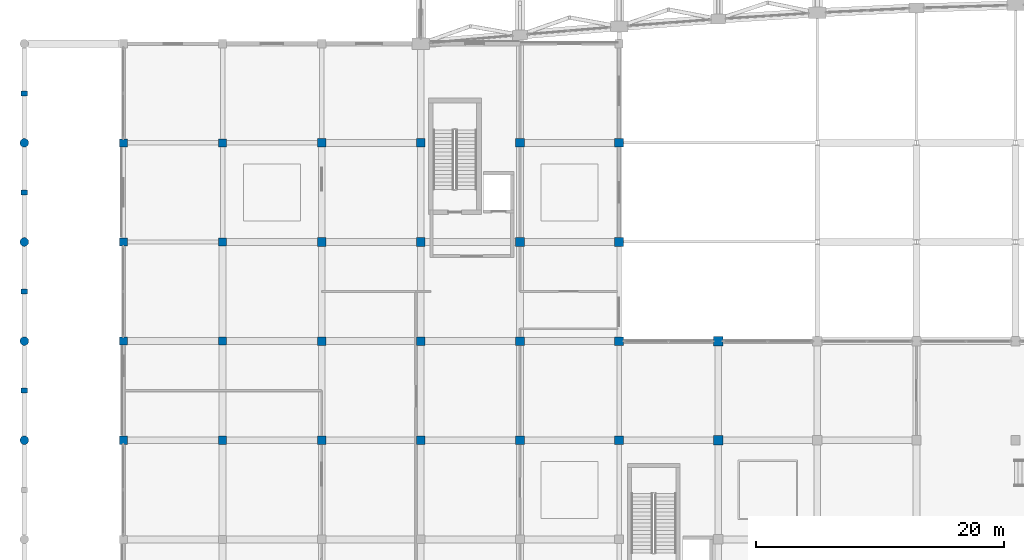
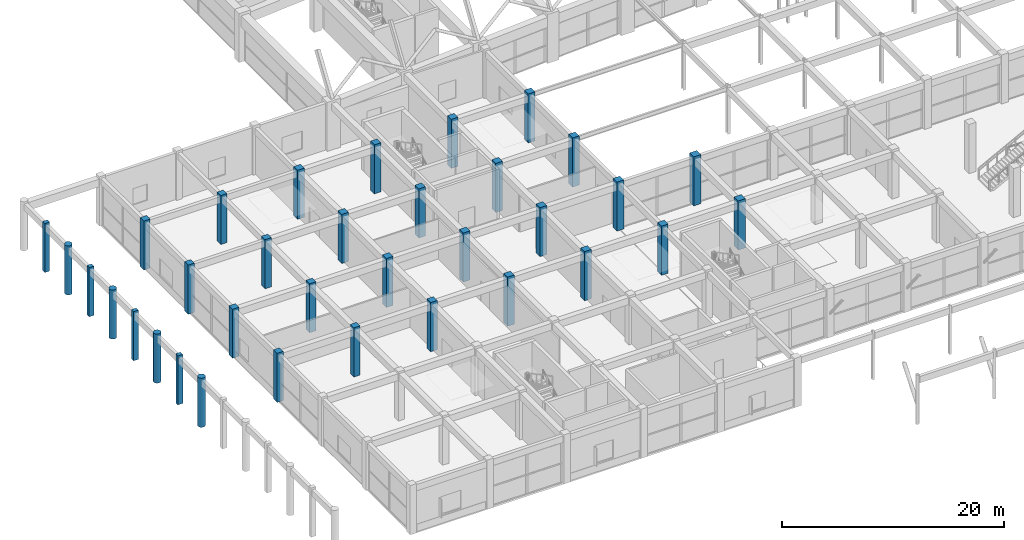
# One storey, part 3 of 69: 34 columns.
"""IFC4 building model written with IfcOpenShell, lengths in metres."""

from ifc_helpers import new_model, si_unit, direction, frame, origin, origin_2d, place, context, subcontext, project, spatial, rectangle, circle, extrude, material, material_profile, profile_set, type_object, element, save


model = new_model("IFC4")

# Units and contexts
model_context = context("Model", 3, precision=1e-05, world=origin(), true_north=direction((0.0, 1.0)))
body_context = subcontext(model_context, "Body", "Model", "MODEL_VIEW")
ifc_project = project(units=[si_unit("LENGTHUNIT", "METRE"), si_unit("AREAUNIT", "SQUARE_METRE"), si_unit("VOLUMEUNIT", "CUBIC_METRE"), si_unit("PLANEANGLEUNIT", "RADIAN"), si_unit("MASSUNIT", "GRAM", prefix="KILO")], contexts=[model_context])

# Site, building, storey
site_placement = place(None, origin())
site = spatial("IfcSite", under=ifc_project, at=site_placement, CompositionType="ELEMENT")
building_placement = place(site_placement, origin())
building = spatial("IfcBuilding", under=site, at=building_placement, Name="Kenh Van Central Station", CompositionType="ELEMENT")
storey_placement = place(building_placement, frame((0.0, 0.0, 5.39990234375)))
storey = spatial("IfcBuildingStorey", under=building, at=storey_placement, Name="L01", CompositionType="ELEMENT", Elevation=5.39990234375)

# Columns
ifc_material_1 = material(Name="Concrete C35/45", Category="concrete")
ifc_material_profile_1 = material_profile(ifc_material_1, rectangle(XDim=0.64990234375, YDim=0.64990234375, at=origin_2d()), Name="RC 650x650")
ifc_profile_set_1 = profile_set([ifc_material_profile_1], Name="Concrete C35/45")
column_type_1 = type_object("IfcColumnType", Name="COL-RC-650x650", PredefinedType="COLUMN", material=ifc_profile_set_1)
for number, where, z_axis, x_axis, name in (
    (1, (8.0, 32.0, 0.0), (0.0, 0.0, 1.0), (1.0, 0.0, 0.0), "L01 column CW-008-032"),
    (2, (8.0, 40.0, 0.0), (0.0, 0.0, 1.0), (1.0, 0.0, 0.0), "L01 column CW-008-040"),
    (3, (8.0, 48.0, 0.0), (0.0, 0.0, 1.0), (1.0, 0.0, 0.0), "L01 column CW-008-048"),
    (4, (8.0, 56.0, 0.0), (0.0, 0.0, 1.0), (1.0, 0.0, 0.0), "L01 column CW-008-056"),
    (5, (16.0, 32.0, 0.0), (0.0, 0.0, 1.0), (1.0, 0.0, 0.0), "L01 column CW-016-032"),
    (6, (16.0, 40.0, 0.0), (0.0, 0.0, 1.0), (1.0, 0.0, 0.0), "L01 column CW-016-040"),
    (7, (16.0, 48.0, 0.0), (0.0, 0.0, 1.0), (1.0, 0.0, 0.0), "L01 column CW-016-048"),
    (8, (16.0, 56.0, 0.0), (0.0, 0.0, 1.0), (1.0, 0.0, 0.0), "L01 column CW-016-056"),
):
    element("IfcColumn", number, at=place(storey_placement, frame(where, z_axis=z_axis, x_axis=x_axis)), inside=storey, type_object=column_type_1, Name=name, PredefinedType="COLUMN", context=body_context, shape_type="SweptSolid", body=[
        extrude(rectangle(XDim=0.64990234375, YDim=0.64990234375, at=origin_2d()), origin(), (0.0, 0.0, 1.0), 5.400146484375),
    ])
ifc_material_2 = material(Name="Concrete C40/50", Category="concrete")
ifc_material_profile_2 = material_profile(ifc_material_2, rectangle(XDim=0.699951171875, YDim=0.699951171875, at=origin_2d()), Name="RC 700x700")
ifc_profile_set_2 = profile_set([ifc_material_profile_2], Name="Concrete C40/50")
column_type_2 = type_object("IfcColumnType", Name="COL-RC-700x700", PredefinedType="COLUMN", material=ifc_profile_set_2)
for number, where, z_axis, x_axis, name in (
    (9, (24.0, 32.0, 0.0), (0.0, 0.0, 1.0), (1.0, 0.0, 0.0), "L01 column CW-024-032"),
    (10, (24.0, 40.0, 0.0), (0.0, 0.0, 1.0), (1.0, 0.0, 0.0), "L01 column CW-024-040"),
    (11, (24.0, 48.0, 0.0), (0.0, 0.0, 1.0), (1.0, 0.0, 0.0), "L01 column CW-024-048"),
    (12, (24.0, 56.0, 0.0), (0.0, 0.0, 1.0), (1.0, 0.0, 0.0), "L01 column CW-024-056"),
    (13, (32.0, 32.0, 0.0), (0.0, 0.0, 1.0), (1.0, 0.0, 0.0), "L01 column CW-032-032"),
    (14, (32.0, 40.0, 0.0), (0.0, 0.0, 1.0), (1.0, 0.0, 0.0), "L01 column CW-032-040"),
    (15, (32.0, 48.0, 0.0), (0.0, 0.0, 1.0), (1.0, 0.0, 0.0), "L01 column CW-032-048"),
    (16, (32.0, 56.0, 0.0), (0.0, 0.0, 1.0), (1.0, 0.0, 0.0), "L01 column CW-032-056"),
    (17, (40.0, 32.0, 0.0), (0.0, 0.0, 1.0), (1.0, 0.0, 0.0), "L01 column CW-040-032"),
    (18, (40.0, 40.0, 0.0), (0.0, 0.0, 1.0), (1.0, 0.0, 0.0), "L01 column CW-040-040"),
    (19, (40.0, 48.0, 0.0), (0.0, 0.0, 1.0), (1.0, 0.0, 0.0), "L01 column CW-040-048"),
    (20, (40.0, 56.0, 0.0), (0.0, 0.0, 1.0), (1.0, 0.0, 0.0), "L01 column CW-040-056"),
    (21, (48.0, 32.0, 0.0), (0.0, 0.0, 1.0), (1.0, 0.0, 0.0), "L01 column CW-048-032"),
    (22, (48.0, 40.0, 0.0), (0.0, 0.0, 1.0), (1.0, 0.0, 0.0), "L01 column CW-048-040"),
    (23, (48.0, 48.0, 0.0), (0.0, 0.0, 1.0), (1.0, 0.0, 0.0), "L01 column CW-048-048"),
    (24, (48.0, 56.0, 0.0), (0.0, 0.0, 1.0), (1.0, 0.0, 0.0), "L01 column CW-048-056"),
):
    element("IfcColumn", number, at=place(storey_placement, frame(where, z_axis=z_axis, x_axis=x_axis)), inside=storey, type_object=column_type_2, Name=name, PredefinedType="COLUMN", context=body_context, shape_type="SweptSolid", body=[
        extrude(rectangle(XDim=0.699951171875, YDim=0.699951171875, at=origin_2d()), origin(), (0.0, 0.0, 1.0), 5.400146484375),
    ])
ifc_material_profile_3 = material_profile(ifc_material_2, rectangle(XDim=0.75, YDim=0.75, at=origin_2d()), Name="RC 750x750")
ifc_profile_set_3 = profile_set([ifc_material_profile_3], Name="Concrete C40/50")
column_type_3 = type_object("IfcColumnType", Name="COL-RC-750x750", PredefinedType="COLUMN", material=ifc_profile_set_3)
for number, where, z_axis, x_axis, name in (
    (25, (56.0, 32.0, 0.0), (0.0, 0.0, 1.0), (1.0, 0.0, 0.0), "L01 column CC-056-032"),
    (26, (56.0, 40.0, 0.0), (0.0, 0.0, 1.0), (1.0, 0.0, 0.0), "L01 column CC-056-040"),
):
    element("IfcColumn", number, at=place(storey_placement, frame(where, z_axis=z_axis, x_axis=x_axis)), inside=storey, type_object=column_type_3, Name=name, PredefinedType="COLUMN", context=body_context, shape_type="SweptSolid", body=[
        extrude(rectangle(XDim=0.75, YDim=0.75, at=origin_2d()), origin(), (0.0, 0.0, 1.0), 5.400146484375),
    ])
ifc_material_profile_4 = material_profile(ifc_material_2, circle(Radius=0.35009765625, at=origin_2d()), Name="RC D700")
ifc_profile_set_4 = profile_set([ifc_material_profile_4], Name="Concrete C40/50")
column_type_4 = type_object("IfcColumnType", Name="COL-RC-D700", PredefinedType="COLUMN", material=ifc_profile_set_4)
for number, where, z_axis, x_axis, name in (
    (27, (0.0, 32.0, 0.0), (0.0, 0.0, 1.0), (1.0, 0.0, 0.0), "L01 column CW-000-032"),
    (28, (0.0, 40.0, 0.0), (0.0, 0.0, 1.0), (1.0, 0.0, 0.0), "L01 column CW-000-040"),
    (29, (0.0, 48.0, 0.0), (0.0, 0.0, 1.0), (1.0, 0.0, 0.0), "L01 column CW-000-048"),
    (30, (0.0, 56.0, 0.0), (0.0, 0.0, 1.0), (1.0, 0.0, 0.0), "L01 column CW-000-056"),
):
    element("IfcColumn", number, at=place(storey_placement, frame(where, z_axis=z_axis, x_axis=x_axis)), inside=storey, type_object=column_type_4, Name=name, PredefinedType="COLUMN", context=body_context, shape_type="SweptSolid", body=[
        extrude(circle(Radius=0.35009765625, at=origin_2d()), origin(), (0.0, 0.0, 1.0), 5.400146484375),
    ])
ifc_material_profile_5 = material_profile(ifc_material_1, rectangle(XDim=0.5, YDim=0.39990234375, at=origin_2d()), Name="RC 500x400")
ifc_profile_set_5 = profile_set([ifc_material_profile_5], Name="Concrete C35/45")
column_type_5 = type_object("IfcColumnType", Name="PIL-RC-500x400", PredefinedType="PILASTER", material=ifc_profile_set_5)
for number, where, z_axis, x_axis, name in (
    (31, (0.0, 36.0, 0.0), (0.0, 0.0, 1.0), (1.0, 0.0, 0.0), "L01 column PIL-W-03"),
    (32, (0.0, 44.0, 0.0), (0.0, 0.0, 1.0), (1.0, 0.0, 0.0), "L01 column PIL-W-04"),
    (33, (0.0, 52.0, 0.0), (0.0, 0.0, 1.0), (1.0, 0.0, 0.0), "L01 column PIL-W-05"),
    (34, (0.0, 60.0, 0.0), (0.0, 0.0, 1.0), (1.0, 0.0, 0.0), "L01 column PIL-W-06"),
):
    element("IfcColumn", number, at=place(storey_placement, frame(where, z_axis=z_axis, x_axis=x_axis)), inside=storey, type_object=column_type_5, Name=name, PredefinedType="PILASTER", context=body_context, shape_type="SweptSolid", body=[
        extrude(rectangle(XDim=0.5, YDim=0.39990234375, at=origin_2d()), origin(), (0.0, 0.0, 1.0), 5.400146484375),
    ])

save(model, "model.ifc")
